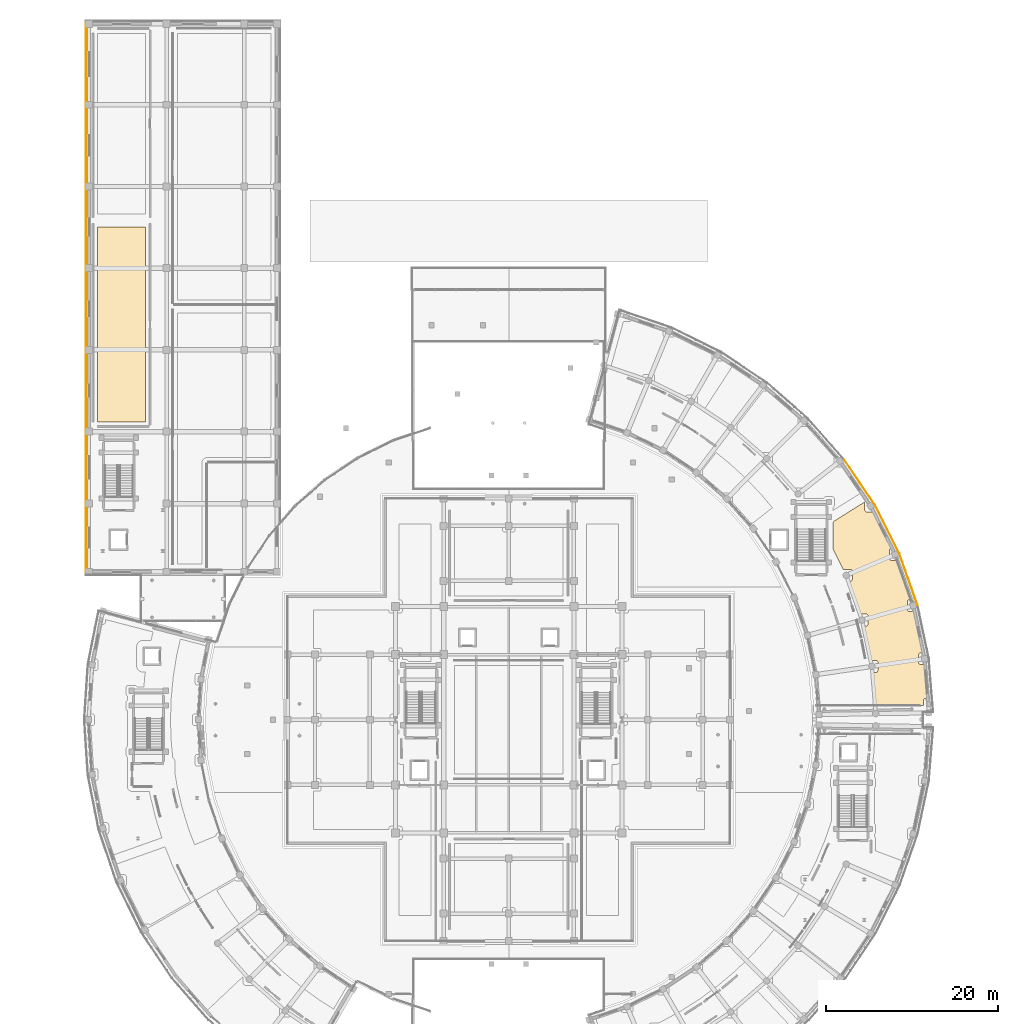
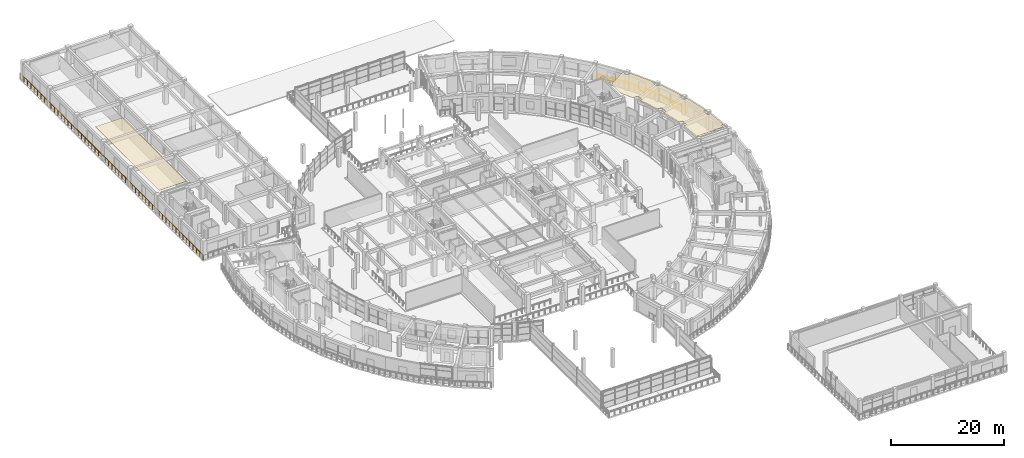
# One storey, part 86 of 87: 4 railings, 2 coverings.
"""IFC4 building model written with IfcOpenShell, lengths in metres."""

from ifc_helpers import new_model, si_unit, direction, frame, origin, origin_2d, place, context, subcontext, project, spatial, polyline, rectangle, outline, extrude, material, layer, layer_set, type_object, element, save


model = new_model("IFC4")

# Units and contexts
model_context = context("Model", 3, precision=1e-05, world=origin(), true_north=direction((0.0, 1.0)))
body_context = subcontext(model_context, "Body", "Model", "MODEL_VIEW")
ifc_project = project(units=[si_unit("LENGTHUNIT", "METRE"), si_unit("AREAUNIT", "SQUARE_METRE"), si_unit("VOLUMEUNIT", "CUBIC_METRE"), si_unit("PLANEANGLEUNIT", "RADIAN"), si_unit("MASSUNIT", "GRAM", prefix="KILO")], contexts=[model_context])

# Site, building, storey
site_placement = place(None, origin())
site = spatial("IfcSite", under=ifc_project, at=site_placement, CompositionType="ELEMENT")
building_placement = place(site_placement, origin())
building = spatial("IfcBuilding", under=site, at=building_placement, Name="Saryqyr Civic Hall", CompositionType="ELEMENT")
storey_placement = place(building_placement, frame((0.0, 0.0, 5.10009765625)))
storey = spatial("IfcBuildingStorey", under=building, at=storey_placement, Name="L01", CompositionType="ELEMENT", Elevation=5.10009765625)

# Coverings
ifc_material_1 = material(Name="Mineral-fibre acoustic ceiling tile", Category="acoustic_tile")
ifc_layer_1 = layer(ifc_material_1, 0.06005859375, Name="Mineral-fibre acoustic ceiling tile")
ifc_layer_set_1 = layer_set([ifc_layer_1], Name="Mineral-fibre acoustic ceiling tile")
covering_type = type_object("IfcCoveringType", Name="INT-COV-CEIL-60", PredefinedType="CEILING", material=ifc_layer_set_1)
covering_1_placement = place(storey_placement, frame((0.0, 0.0, 3.7099609375)))
element("IfcCovering", 1, at=covering_1_placement, inside=storey, type_object=covering_type, Name="Acoustic ceiling Municipal Housing Renewal Office", PredefinedType="CEILING", context=body_context, shape_type="SweptSolid", body=[
    extrude(outline(polyline([(101.619384765625, 103.95556640625), (101.594970703125, 103.954345703125), (101.570556640625, 103.95068359375), (101.546875, 103.94482421875), (101.523681640625, 103.9365234375), (101.501708984375, 103.926025390625), (101.48046875, 103.91357421875), (101.460693359375, 103.89892578125), (101.442626953125, 103.88232421875), (101.426025390625, 103.8642578125), (101.41162109375, 103.844482421875), (101.39892578125, 103.823486328125), (101.388427734375, 103.80126953125), (101.380126953125, 103.7783203125), (101.374267578125, 103.75439453125), (101.37060546875, 103.72998046875), (101.369384765625, 103.70556640625), (101.369384765625, 102.845703125), (101.37060546875, 102.821044921875), (101.374267578125, 102.796875), (101.380126953125, 102.77294921875), (101.388427734375, 102.75), (101.39892578125, 102.727783203125), (101.41162109375, 102.706787109375), (101.426025390625, 102.68701171875), (101.442626953125, 102.668701171875), (101.460693359375, 102.65234375), (101.48046875, 102.6376953125), (101.501708984375, 102.625), (101.523681640625, 102.614501953125), (101.546875, 102.6064453125), (101.570556640625, 102.600341796875), (101.594970703125, 102.5966796875), (101.619384765625, 102.595703125), (102.228759765625, 102.595703125), (102.45068359375, 102.059814453125), (103.881103515625, 97.98876953125), (103.72802734375, 97.98876953125), (103.70361328125, 97.987548828125), (103.67919921875, 97.98388671875), (103.655517578125, 97.97802734375), (103.63232421875, 97.9697265625), (103.610107421875, 97.959228515625), (103.589111328125, 97.94677734375), (103.5693359375, 97.93212890625), (103.55126953125, 97.91552734375), (103.53466796875, 97.8974609375), (103.52001953125, 97.877685546875), (103.507568359375, 97.856689453125), (103.4970703125, 97.83447265625), (103.48876953125, 97.811279296875), (103.48291015625, 97.78759765625), (103.479248046875, 97.76318359375), (103.47802734375, 97.73876953125), (103.47802734375, 96.87890625), (103.479248046875, 96.854248046875), (103.48291015625, 96.830078125), (103.48876953125, 96.80615234375), (103.4970703125, 96.783203125), (103.507568359375, 96.760986328125), (103.52001953125, 96.739990234375), (103.53466796875, 96.72021484375), (103.55126953125, 96.701904296875), (103.5693359375, 96.685546875), (103.589111328125, 96.6708984375), (103.610107421875, 96.658203125), (103.63232421875, 96.647705078125), (103.655517578125, 96.6396484375), (103.67919921875, 96.633544921875), (103.70361328125, 96.6298828125), (103.72802734375, 96.62890625), (104.243408203125, 96.62890625), (104.404541015625, 96.019775390625), (105.2978515625, 91.800048828125), (105.050048828125, 91.800048828125), (105.025390625, 91.798828125), (105.001220703125, 91.795166015625), (104.977294921875, 91.789306640625), (104.954345703125, 91.781005859375), (104.93212890625, 91.7705078125), (104.9111328125, 91.7578125), (104.891357421875, 91.743408203125), (104.873291015625, 91.726806640625), (104.856689453125, 91.70849609375), (104.842041015625, 91.68896484375), (104.82958984375, 91.667724609375), (104.819091796875, 91.645751953125), (104.810791015625, 91.62255859375), (104.8046875, 91.598876953125), (104.80126953125, 91.574462890625), (104.800048828125, 91.550048828125), (104.800048828125, 90.68994140625), (104.80126953125, 90.66552734375), (104.8046875, 90.64111328125), (104.810791015625, 90.617431640625), (104.819091796875, 90.59423828125), (104.82958984375, 90.572265625), (104.842041015625, 90.551025390625), (104.856689453125, 90.531494140625), (104.873291015625, 90.51318359375), (104.891357421875, 90.49658203125), (104.9111328125, 90.482177734375), (104.93212890625, 90.469482421875), (104.954345703125, 90.458984375), (104.977294921875, 90.45068359375), (105.001220703125, 90.44482421875), (105.025390625, 90.441162109375), (105.050048828125, 90.43994140625), (105.477783203125, 90.43994140625), (105.55810546875, 89.79736328125), (105.814453125, 86.46826171875), (105.58544921875, 86.46826171875), (105.56103515625, 86.467041015625), (105.53662109375, 86.46337890625), (105.512939453125, 86.45751953125), (105.48974609375, 86.44921875), (105.4677734375, 86.438720703125), (105.446533203125, 86.42626953125), (105.427001953125, 86.41162109375), (105.40869140625, 86.39501953125), (105.39208984375, 86.376953125), (105.377685546875, 86.357177734375), (105.364990234375, 86.336181640625), (105.3544921875, 86.31396484375), (105.34619140625, 86.291015625), (105.34033203125, 86.26708984375), (105.336669921875, 86.242919921875), (105.33544921875, 86.21826171875), (105.33544921875, 85.689208984375), (104.3662109375, 85.66650390625), (104.35546875, 85.67431640625), (104.334228515625, 85.68701171875), (104.312255859375, 85.697509765625), (104.2890625, 85.705810546875), (104.265380859375, 85.711669921875), (104.240966796875, 85.71533203125), (104.216552734375, 85.716552734375), (103.783447265625, 85.716552734375), (103.759033203125, 85.71533203125), (103.734619140625, 85.711669921875), (103.7109375, 85.705810546875), (103.687744140625, 85.697509765625), (103.665771484375, 85.68701171875), (103.64453125, 85.67431640625), (103.625, 85.659912109375), (103.612548828125, 85.648681640625), (99.70703125, 85.556640625), (99.57568359375, 87.852783203125), (99.572509765625, 87.8896484375), (99.369384765625, 89.51416015625), (99.80078125, 89.51416015625), (99.8251953125, 89.515380859375), (99.849609375, 89.518798828125), (99.873291015625, 89.52490234375), (99.896484375, 89.533203125), (99.918701171875, 89.543701171875), (99.939697265625, 89.55615234375), (99.95947265625, 89.57080078125), (99.9775390625, 89.58740234375), (99.994140625, 89.60546875), (100.0087890625, 89.625244140625), (100.021240234375, 89.646240234375), (100.03173828125, 89.66845703125), (100.0400390625, 89.69140625), (100.0458984375, 89.71533203125), (100.049560546875, 89.739501953125), (100.05078125, 89.76416015625), (100.05078125, 90.674072265625), (100.049560546875, 90.698486328125), (100.0458984375, 90.722900390625), (100.0400390625, 90.74658203125), (100.03173828125, 90.769775390625), (100.021240234375, 90.7919921875), (100.0087890625, 90.81298828125), (99.994140625, 90.832763671875), (99.9775390625, 90.850830078125), (99.95947265625, 90.867431640625), (99.939697265625, 90.882080078125), (99.918701171875, 90.89453125), (99.896484375, 90.905029296875), (99.873291015625, 90.913330078125), (99.849609375, 90.919189453125), (99.8251953125, 90.9228515625), (99.80078125, 90.924072265625), (99.17919921875, 90.924072265625), (98.677001953125, 93.516357421875), (98.668701171875, 93.55224609375), (98.30712890625, 94.919921875), (98.64599609375, 94.919921875), (98.670654296875, 94.9208984375), (98.69482421875, 94.924560546875), (98.71875, 94.9306640625), (98.74169921875, 94.938720703125), (98.763916015625, 94.94921875), (98.784912109375, 94.9619140625), (98.8046875, 94.9765625), (98.822998046875, 94.992919921875), (98.83935546875, 95.01123046875), (98.85400390625, 95.031005859375), (98.86669921875, 95.052001953125), (98.877197265625, 95.07421875), (98.88525390625, 95.09716796875), (98.891357421875, 95.12109375), (98.89501953125, 95.145263671875), (98.89599609375, 95.169921875), (98.89599609375, 96.079833984375), (98.89501953125, 96.104248046875), (98.891357421875, 96.128662109375), (98.88525390625, 96.15234375), (98.877197265625, 96.175537109375), (98.86669921875, 96.197509765625), (98.85400390625, 96.21875), (98.83935546875, 96.23828125), (98.822998046875, 96.256591796875), (98.8046875, 96.273193359375), (98.784912109375, 96.28759765625), (98.763916015625, 96.30029296875), (98.74169921875, 96.310791015625), (98.71875, 96.319091796875), (98.69482421875, 96.324951171875), (98.670654296875, 96.32861328125), (98.64599609375, 96.329833984375), (97.932861328125, 96.329833984375), (97.028564453125, 99.008544921875), (97.015380859375, 99.043212890625), (96.564697265625, 100.131591796875), (96.80419921875, 100.131591796875), (96.828857421875, 100.1328125), (96.85302734375, 100.136474609375), (96.876953125, 100.142578125), (96.89990234375, 100.150634765625), (96.922119140625, 100.1611328125), (96.943115234375, 100.173828125), (96.962890625, 100.1884765625), (96.981201171875, 100.204833984375), (96.99755859375, 100.22314453125), (97.01220703125, 100.242919921875), (97.02490234375, 100.263916015625), (97.035400390625, 100.285888671875), (97.04345703125, 100.30908203125), (97.049560546875, 100.3330078125), (97.052978515625, 100.357177734375), (97.05419921875, 100.381591796875), (97.05419921875, 101.291748046875), (97.052978515625, 101.316162109375), (97.049560546875, 101.340576171875), (97.04345703125, 101.3642578125), (97.035400390625, 101.387451171875), (97.02490234375, 101.409423828125), (97.01220703125, 101.4306640625), (96.99755859375, 101.4501953125), (96.981201171875, 101.468505859375), (96.962890625, 101.485107421875), (96.943115234375, 101.49951171875), (96.922119140625, 101.51220703125), (96.89990234375, 101.522705078125), (96.876953125, 101.531005859375), (96.85302734375, 101.536865234375), (96.828857421875, 101.54052734375), (96.80419921875, 101.541748046875), (95.98046875, 101.541748046875), (95.931640625, 101.659423828125), (95.91552734375, 101.69482421875), (94.820068359375, 103.8857421875), (94.820068359375, 107.041015625), (94.837890625, 107.049560546875), (94.85888671875, 107.06201171875), (94.878662109375, 107.07666015625), (94.896728515625, 107.09326171875), (94.913330078125, 107.111328125), (94.927978515625, 107.131103515625), (94.9404296875, 107.152099609375), (94.94873046875, 107.169677734375), (98.5166015625, 109.4091796875), (98.51416015625, 109.399658203125), (98.510498046875, 109.37548828125), (98.509521484375, 109.350830078125), (98.509521484375, 108.490966796875), (98.510498046875, 108.46630859375), (98.51416015625, 108.442138671875), (98.520263671875, 108.418212890625), (98.5283203125, 108.395263671875), (98.538818359375, 108.373046875), (98.551513671875, 108.35205078125), (98.566162109375, 108.332275390625), (98.58251953125, 108.314208984375), (98.600830078125, 108.297607421875), (98.62060546875, 108.282958984375), (98.6416015625, 108.2705078125), (98.663818359375, 108.260009765625), (98.686767578125, 108.251708984375), (98.710693359375, 108.24560546875), (98.73486328125, 108.2421875), (98.759521484375, 108.240966796875), (99.47314453125, 108.240966796875), (99.724853515625, 107.808349609375), (101.664794921875, 103.95556640625), (101.619384765625, 103.95556640625)])), origin(), (0.0, 0.0, 1.0), 0.06005859375),
])
covering_2_placement = place(storey_placement, frame((0.0, 0.0, 3.68994140625)))
element("IfcCovering", 2, at=covering_2_placement, inside=storey, type_object=covering_type, Name="Acoustic ceiling Cataloguing & Archival Intake Office", PredefinedType="CEILING", context=body_context, shape_type="SweptSolid", body=[
    extrude(outline(polyline([(9.050048828125, 118.75), (9.050048828125, 141.449951171875), (14.6298828125, 141.449951171875), (14.6298828125, 118.75), (9.050048828125, 118.75)])), origin(), (0.0, 0.0, 1.0), 0.06005859375),
])

# Railings
ifc_material_2 = material(Name="Warm brushed brass and laminated glass", Category="glass")
ifc_layer_2 = layer(ifc_material_2, 0.06005859375, Name="Warm brushed brass and laminated glass")
ifc_layer_set_2 = layer_set([ifc_layer_2], Name="Warm brushed brass and laminated glass")
railing_type = type_object("IfcRailingType", Name="INT-RLG-BAL-1100", PredefinedType="BALUSTRADE", material=ifc_layer_set_2)
railing_1_placement = place(storey_placement, frame((7.699951171875, 100.89990234375, 0.0)))
element("IfcRailing", 3, at=railing_1_placement, inside=storey, type_object=railing_type, Name="Interior deck safety balustrade L01-021", PredefinedType="BALUSTRADE", context=body_context, shape_type="SweptSolid", body=[
    extrude(rectangle(XDim=0.048095703125, YDim=0.048095703125, at=origin_2d()), frame((0.0, 0.0, 1.09619140625), z_axis=(0.0, 1.0, 0.0), x_axis=(-1.0, 0.0, 0.0)), (0.0, 0.0, 1.0), 64.60009765625),
    extrude(rectangle(XDim=0.0419921875, YDim=0.0419921875, at=origin_2d()), origin(), (0.0, 0.0, 1.0), 1.072021484375),
    extrude(rectangle(XDim=0.0419921875, YDim=0.0419921875, at=origin_2d()), frame((0.0, 1.1962890625, 0.0)), (0.0, 0.0, 1.0), 1.072021484375),
    extrude(rectangle(XDim=0.0419921875, YDim=0.0419921875, at=origin_2d()), frame((0.0, 2.392578125, 0.0)), (0.0, 0.0, 1.0), 1.072021484375),
    extrude(rectangle(XDim=0.0419921875, YDim=0.0419921875, at=origin_2d()), frame((0.0, 3.5888671875, 0.0)), (0.0, 0.0, 1.0), 1.072021484375),
    extrude(rectangle(XDim=0.0419921875, YDim=0.0419921875, at=origin_2d()), frame((0.0, 4.78515625, 0.0)), (0.0, 0.0, 1.0), 1.072021484375),
    extrude(rectangle(XDim=0.0419921875, YDim=0.0419921875, at=origin_2d()), frame((0.0, 5.9814453125, 0.0)), (0.0, 0.0, 1.0), 1.072021484375),
    extrude(rectangle(XDim=0.0419921875, YDim=0.0419921875, at=origin_2d()), frame((0.0, 7.177734375, 0.0)), (0.0, 0.0, 1.0), 1.072021484375),
    extrude(rectangle(XDim=0.0419921875, YDim=0.0419921875, at=origin_2d()), frame((0.0, 8.3740234375, 0.0)), (0.0, 0.0, 1.0), 1.072021484375),
    extrude(rectangle(XDim=0.0419921875, YDim=0.0419921875, at=origin_2d()), frame((0.0, 9.5703125, 0.0)), (0.0, 0.0, 1.0), 1.072021484375),
    extrude(rectangle(XDim=0.0419921875, YDim=0.0419921875, at=origin_2d()), frame((0.0, 10.7666015625, 0.0)), (0.0, 0.0, 1.0), 1.072021484375),
    extrude(rectangle(XDim=0.0419921875, YDim=0.0419921875, at=origin_2d()), frame((0.0, 11.962890625, 0.0)), (0.0, 0.0, 1.0), 1.072021484375),
    extrude(rectangle(XDim=0.0419921875, YDim=0.0419921875, at=origin_2d()), frame((0.0, 13.1591796875, 0.0)), (0.0, 0.0, 1.0), 1.072021484375),
    extrude(rectangle(XDim=0.0419921875, YDim=0.0419921875, at=origin_2d()), frame((0.0, 14.35546875, 0.0)), (0.0, 0.0, 1.0), 1.072021484375),
    extrude(rectangle(XDim=0.0419921875, YDim=0.0419921875, at=origin_2d()), frame((0.0, 15.5517578125, 0.0)), (0.0, 0.0, 1.0), 1.072021484375),
    extrude(rectangle(XDim=0.0419921875, YDim=0.0419921875, at=origin_2d()), frame((0.0, 16.748291015625, 0.0)), (0.0, 0.0, 1.0), 1.072021484375),
    extrude(rectangle(XDim=0.0419921875, YDim=0.0419921875, at=origin_2d()), frame((0.0, 17.944580078125, 0.0)), (0.0, 0.0, 1.0), 1.072021484375),
    extrude(rectangle(XDim=0.0419921875, YDim=0.0419921875, at=origin_2d()), frame((0.0, 19.140869140625, 0.0)), (0.0, 0.0, 1.0), 1.072021484375),
    extrude(rectangle(XDim=0.0419921875, YDim=0.0419921875, at=origin_2d()), frame((0.0, 20.337158203125, 0.0)), (0.0, 0.0, 1.0), 1.072021484375),
    extrude(rectangle(XDim=0.0419921875, YDim=0.0419921875, at=origin_2d()), frame((0.0, 21.533447265625, 0.0)), (0.0, 0.0, 1.0), 1.072021484375),
    extrude(rectangle(XDim=0.0419921875, YDim=0.0419921875, at=origin_2d()), frame((0.0, 22.729736328125, 0.0)), (0.0, 0.0, 1.0), 1.072021484375),
    extrude(rectangle(XDim=0.0419921875, YDim=0.0419921875, at=origin_2d()), frame((0.0, 23.926025390625, 0.0)), (0.0, 0.0, 1.0), 1.072021484375),
    extrude(rectangle(XDim=0.0419921875, YDim=0.0419921875, at=origin_2d()), frame((0.0, 25.122314453125, 0.0)), (0.0, 0.0, 1.0), 1.072021484375),
    extrude(rectangle(XDim=0.0419921875, YDim=0.0419921875, at=origin_2d()), frame((0.0, 26.318603515625, 0.0)), (0.0, 0.0, 1.0), 1.072021484375),
    extrude(rectangle(XDim=0.0419921875, YDim=0.0419921875, at=origin_2d()), frame((0.0, 27.514892578125, 0.0)), (0.0, 0.0, 1.0), 1.072021484375),
    extrude(rectangle(XDim=0.0419921875, YDim=0.0419921875, at=origin_2d()), frame((0.0, 28.711181640625, 0.0)), (0.0, 0.0, 1.0), 1.072021484375),
    extrude(rectangle(XDim=0.0419921875, YDim=0.0419921875, at=origin_2d()), frame((0.0, 29.907470703125, 0.0)), (0.0, 0.0, 1.0), 1.072021484375),
    extrude(rectangle(XDim=0.0419921875, YDim=0.0419921875, at=origin_2d()), frame((0.0, 31.103759765625, 0.0)), (0.0, 0.0, 1.0), 1.072021484375),
    extrude(rectangle(XDim=0.0419921875, YDim=0.0419921875, at=origin_2d()), frame((0.0, 32.300048828125, 0.0)), (0.0, 0.0, 1.0), 1.072021484375),
    extrude(rectangle(XDim=0.0419921875, YDim=0.0419921875, at=origin_2d()), frame((0.0, 33.496337890625, 0.0)), (0.0, 0.0, 1.0), 1.072021484375),
    extrude(rectangle(XDim=0.0419921875, YDim=0.0419921875, at=origin_2d()), frame((0.0, 34.692626953125, 0.0)), (0.0, 0.0, 1.0), 1.072021484375),
    extrude(rectangle(XDim=0.0419921875, YDim=0.0419921875, at=origin_2d()), frame((0.0, 35.888916015625, 0.0)), (0.0, 0.0, 1.0), 1.072021484375),
    extrude(rectangle(XDim=0.0419921875, YDim=0.0419921875, at=origin_2d()), frame((0.0, 37.085205078125, 0.0)), (0.0, 0.0, 1.0), 1.072021484375),
    extrude(rectangle(XDim=0.0419921875, YDim=0.0419921875, at=origin_2d()), frame((0.0, 38.281494140625, 0.0)), (0.0, 0.0, 1.0), 1.072021484375),
    extrude(rectangle(XDim=0.0419921875, YDim=0.0419921875, at=origin_2d()), frame((0.0, 39.477783203125, 0.0)), (0.0, 0.0, 1.0), 1.072021484375),
    extrude(rectangle(XDim=0.0419921875, YDim=0.0419921875, at=origin_2d()), frame((0.0, 40.674072265625, 0.0)), (0.0, 0.0, 1.0), 1.072021484375),
    extrude(rectangle(XDim=0.0419921875, YDim=0.0419921875, at=origin_2d()), frame((0.0, 41.870361328125, 0.0)), (0.0, 0.0, 1.0), 1.072021484375),
    extrude(rectangle(XDim=0.0419921875, YDim=0.0419921875, at=origin_2d()), frame((0.0, 43.066650390625, 0.0)), (0.0, 0.0, 1.0), 1.072021484375),
    extrude(rectangle(XDim=0.0419921875, YDim=0.0419921875, at=origin_2d()), frame((0.0, 44.262939453125, 0.0)), (0.0, 0.0, 1.0), 1.072021484375),
    extrude(rectangle(XDim=0.0419921875, YDim=0.0419921875, at=origin_2d()), frame((0.0, 45.459228515625, 0.0)), (0.0, 0.0, 1.0), 1.072021484375),
    extrude(rectangle(XDim=0.0419921875, YDim=0.0419921875, at=origin_2d()), frame((0.0, 46.655517578125, 0.0)), (0.0, 0.0, 1.0), 1.072021484375),
    extrude(rectangle(XDim=0.0419921875, YDim=0.0419921875, at=origin_2d()), frame((0.0, 47.851806640625, 0.0)), (0.0, 0.0, 1.0), 1.072021484375),
    extrude(rectangle(XDim=0.0419921875, YDim=0.0419921875, at=origin_2d()), frame((0.0, 49.04833984375, 0.0)), (0.0, 0.0, 1.0), 1.072021484375),
    extrude(rectangle(XDim=0.0419921875, YDim=0.0419921875, at=origin_2d()), frame((0.0, 50.24462890625, 0.0)), (0.0, 0.0, 1.0), 1.072021484375),
    extrude(rectangle(XDim=0.0419921875, YDim=0.0419921875, at=origin_2d()), frame((0.0, 51.44091796875, 0.0)), (0.0, 0.0, 1.0), 1.072021484375),
    extrude(rectangle(XDim=0.0419921875, YDim=0.0419921875, at=origin_2d()), frame((0.0, 52.63720703125, 0.0)), (0.0, 0.0, 1.0), 1.072021484375),
    extrude(rectangle(XDim=0.0419921875, YDim=0.0419921875, at=origin_2d()), frame((0.0, 53.83349609375, 0.0)), (0.0, 0.0, 1.0), 1.072021484375),
    extrude(rectangle(XDim=0.0419921875, YDim=0.0419921875, at=origin_2d()), frame((0.0, 55.02978515625, 0.0)), (0.0, 0.0, 1.0), 1.072021484375),
    extrude(rectangle(XDim=0.0419921875, YDim=0.0419921875, at=origin_2d()), frame((0.0, 56.22607421875, 0.0)), (0.0, 0.0, 1.0), 1.072021484375),
    extrude(rectangle(XDim=0.0419921875, YDim=0.0419921875, at=origin_2d()), frame((0.0, 57.42236328125, 0.0)), (0.0, 0.0, 1.0), 1.072021484375),
    extrude(rectangle(XDim=0.0419921875, YDim=0.0419921875, at=origin_2d()), frame((0.0, 58.61865234375, 0.0)), (0.0, 0.0, 1.0), 1.072021484375),
    extrude(rectangle(XDim=0.0419921875, YDim=0.0419921875, at=origin_2d()), frame((0.0, 59.81494140625, 0.0)), (0.0, 0.0, 1.0), 1.072021484375),
    extrude(rectangle(XDim=0.0419921875, YDim=0.0419921875, at=origin_2d()), frame((0.0, 61.01123046875, 0.0)), (0.0, 0.0, 1.0), 1.072021484375),
    extrude(rectangle(XDim=0.0419921875, YDim=0.0419921875, at=origin_2d()), frame((0.0, 62.20751953125, 0.0)), (0.0, 0.0, 1.0), 1.072021484375),
    extrude(rectangle(XDim=0.0419921875, YDim=0.0419921875, at=origin_2d()), frame((0.0, 63.40380859375, 0.0)), (0.0, 0.0, 1.0), 1.072021484375),
    extrude(rectangle(XDim=0.0419921875, YDim=0.0419921875, at=origin_2d()), frame((0.0, 64.60009765625, 0.0)), (0.0, 0.0, 1.0), 1.072021484375),
])
railing_2_placement = place(storey_placement, frame((96.127685546875, 114.319091796875, 0.0)))
element("IfcRailing", 4, at=railing_2_placement, inside=storey, type_object=railing_type, Name="Interior deck safety balustrade L01-034", PredefinedType="BALUSTRADE", context=body_context, shape_type="SweptSolid", body=[
    extrude(rectangle(XDim=0.048095703125, YDim=0.048095703125, at=origin_2d()), frame((0.0, 0.0, 1.09619140625), z_axis=(0.560499967333, -0.828154446115, 0.0), x_axis=(0.828154446115, 0.560499967333, 0.0)), (0.0, 0.0, 1.0), 6.357666015625),
    extrude(rectangle(XDim=0.0419921875, YDim=0.0419921875, at=origin_2d()), origin(), (0.0, 0.0, 1.0), 1.072021484375),
    extrude(rectangle(XDim=0.0419921875, YDim=0.0419921875, at=origin_2d()), frame((0.593994140625, -0.87744140625, 0.0)), (0.0, 0.0, 1.0), 1.072021484375),
    extrude(rectangle(XDim=0.0419921875, YDim=0.0419921875, at=origin_2d()), frame((1.187744140625, -1.755126953125, 0.0)), (0.0, 0.0, 1.0), 1.072021484375),
    extrude(rectangle(XDim=0.0419921875, YDim=0.0419921875, at=origin_2d()), frame((1.78173828125, -2.632568359375, 0.0)), (0.0, 0.0, 1.0), 1.072021484375),
    extrude(rectangle(XDim=0.0419921875, YDim=0.0419921875, at=origin_2d()), frame((2.375732421875, -3.510009765625, 0.0)), (0.0, 0.0, 1.0), 1.072021484375),
    extrude(rectangle(XDim=0.0419921875, YDim=0.0419921875, at=origin_2d()), frame((2.969482421875, -4.3876953125, 0.0)), (0.0, 0.0, 1.0), 1.072021484375),
    extrude(rectangle(XDim=0.0419921875, YDim=0.0419921875, at=origin_2d()), frame((3.5634765625, -5.26513671875, 0.0)), (0.0, 0.0, 1.0), 1.072021484375),
])
railing_3_placement = place(storey_placement, frame((99.691162109375, 109.053955078125, 0.0)))
element("IfcRailing", 5, at=railing_3_placement, inside=storey, type_object=railing_type, Name="Interior deck safety balustrade L01-035", PredefinedType="BALUSTRADE", context=body_context, shape_type="SweptSolid", body=[
    extrude(rectangle(XDim=0.048095703125, YDim=0.048095703125, at=origin_2d()), frame((0.0, 0.0, 1.09619140625), z_axis=(0.449700172546, -0.893179575904, 0.0), x_axis=(0.893179575904, 0.449700172546, 0.0)), (0.0, 0.0, 1.0), 6.35791015625),
    extrude(rectangle(XDim=0.0419921875, YDim=0.0419921875, at=origin_2d()), origin(), (0.0, 0.0, 1.0), 1.072021484375),
    extrude(rectangle(XDim=0.0419921875, YDim=0.0419921875, at=origin_2d()), frame((0.4765625, -0.946533203125, 0.0)), (0.0, 0.0, 1.0), 1.072021484375),
    extrude(rectangle(XDim=0.0419921875, YDim=0.0419921875, at=origin_2d()), frame((0.953125, -1.892822265625, 0.0)), (0.0, 0.0, 1.0), 1.072021484375),
    extrude(rectangle(XDim=0.0419921875, YDim=0.0419921875, at=origin_2d()), frame((1.4296875, -2.83935546875, 0.0)), (0.0, 0.0, 1.0), 1.072021484375),
    extrude(rectangle(XDim=0.0419921875, YDim=0.0419921875, at=origin_2d()), frame((1.906005859375, -3.785888671875, 0.0)), (0.0, 0.0, 1.0), 1.072021484375),
    extrude(rectangle(XDim=0.0419921875, YDim=0.0419921875, at=origin_2d()), frame((2.382568359375, -4.732177734375, 0.0)), (0.0, 0.0, 1.0), 1.072021484375),
    extrude(rectangle(XDim=0.0419921875, YDim=0.0419921875, at=origin_2d()), frame((2.859130859375, -5.6787109375, 0.0)), (0.0, 0.0, 1.0), 1.072021484375),
])
railing_4_placement = place(storey_placement, frame((102.55029296875, 103.375244140625, 0.0)))
element("IfcRailing", 6, at=railing_4_placement, inside=storey, type_object=railing_type, Name="Interior deck safety balustrade L01-036", PredefinedType="BALUSTRADE", context=body_context, shape_type="SweptSolid", body=[
    extrude(rectangle(XDim=0.048095703125, YDim=0.048095703125, at=origin_2d()), frame((0.0, 0.0, 1.09619140625), z_axis=(0.331496156423, -0.943456569364, 0.0), x_axis=(0.943456569364, 0.331496156423, 0.0)), (0.0, 0.0, 1.0), 6.358154296875),
    extrude(rectangle(XDim=0.0419921875, YDim=0.0419921875, at=origin_2d()), origin(), (0.0, 0.0, 1.0), 1.072021484375),
    extrude(rectangle(XDim=0.0419921875, YDim=0.0419921875, at=origin_2d()), frame((0.351318359375, -0.999755859375, 0.0)), (0.0, 0.0, 1.0), 1.072021484375),
    extrude(rectangle(XDim=0.0419921875, YDim=0.0419921875, at=origin_2d()), frame((0.70263671875, -1.99951171875, 0.0)), (0.0, 0.0, 1.0), 1.072021484375),
    extrude(rectangle(XDim=0.0419921875, YDim=0.0419921875, at=origin_2d()), frame((1.0537109375, -2.999267578125, 0.0)), (0.0, 0.0, 1.0), 1.072021484375),
    extrude(rectangle(XDim=0.0419921875, YDim=0.0419921875, at=origin_2d()), frame((1.405029296875, -3.9990234375, 0.0)), (0.0, 0.0, 1.0), 1.072021484375),
    extrude(rectangle(XDim=0.0419921875, YDim=0.0419921875, at=origin_2d()), frame((1.75634765625, -4.998779296875, 0.0)), (0.0, 0.0, 1.0), 1.072021484375),
    extrude(rectangle(XDim=0.0419921875, YDim=0.0419921875, at=origin_2d()), frame((2.107666015625, -5.99853515625, 0.0)), (0.0, 0.0, 1.0), 1.072021484375),
])

save(model, "model.ifc")
